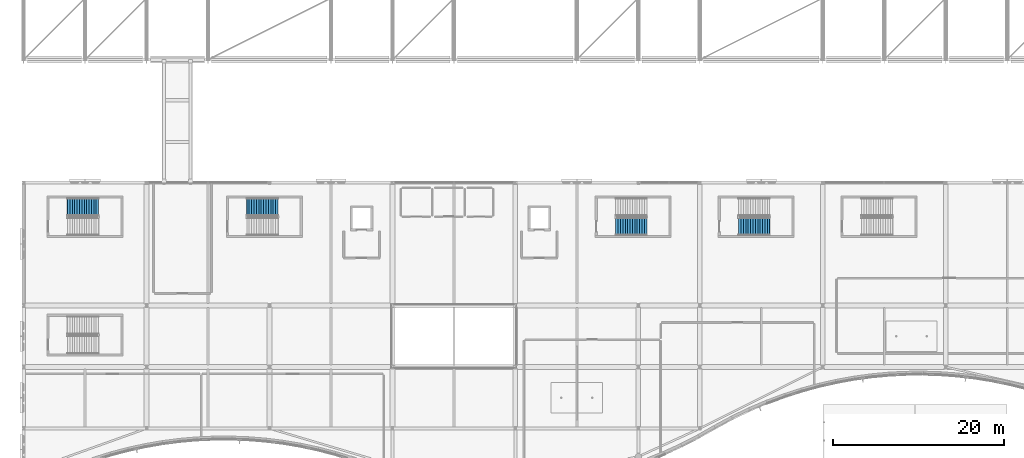
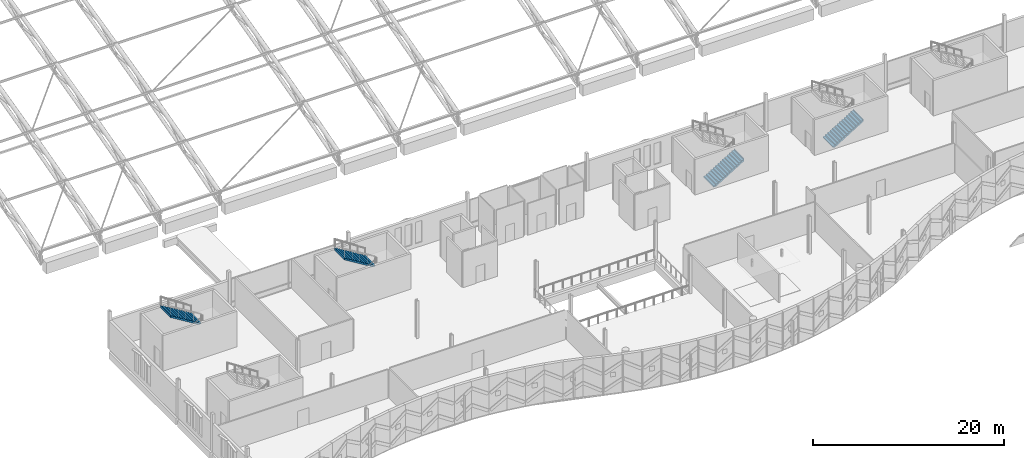
# One storey, part 164 of 193: 4 stair flights, 4 elements without a shape of their own.
"""IFC4 building model written with IfcOpenShell, lengths in metres."""

from ifc_helpers import new_model, si_unit, direction, frame, origin, place, context, subcontext, project, spatial, triangles, material, type_object, element, aggregate, save


model = new_model("IFC4")

# Units and contexts
model_context = context("Model", 3, precision=1e-05, world=origin(), true_north=direction((0.0, 1.0)))
body_context = subcontext(model_context, "Body", "Model", "MODEL_VIEW")
ifc_project = project(units=[si_unit("LENGTHUNIT", "METRE"), si_unit("AREAUNIT", "SQUARE_METRE"), si_unit("VOLUMEUNIT", "CUBIC_METRE"), si_unit("PLANEANGLEUNIT", "RADIAN"), si_unit("MASSUNIT", "GRAM", prefix="KILO")], contexts=[model_context])

# Site, building, storey
site_placement = place(None, origin())
site = spatial("IfcSite", under=ifc_project, at=site_placement, CompositionType="ELEMENT")
building_placement = place(site_placement, origin())
building = spatial("IfcBuilding", under=site, at=building_placement, Name="Cendralis Lancet Convention Centre", CompositionType="ELEMENT")
storey_placement = place(building_placement, frame((0.0, 0.0, 10.199951171875)))
storey = spatial("IfcBuildingStorey", under=building, at=storey_placement, Name="L02", CompositionType="ELEMENT", Elevation=10.199951171875)

# Stair, stair flight
ifc_material = material(Name="Concrete G35 (C35/45)", Category="concrete")
stair_type = type_object("IfcStairType", Name="ARC-ST-CORE", PredefinedType="HALF_TURN_STAIR", material=ifc_material)
stair_1_placement = place(storey_placement, origin())
stair_1 = element("IfcStair", 1, at=stair_1_placement, inside=storey, type_object=stair_type, Name="L02 Protected Exit Stair ST-11", PredefinedType="HALF_TURN_STAIR")
stair_flight_type = type_object("IfcStairFlightType", Name="ARC-SF-CORE", PredefinedType="STRAIGHT", material=ifc_material)
stair_flight_1_placement = place(storey_placement, frame((29.7900390625, 33.1298828125, 2.400146484375), z_axis=(0.0, 0.0, 1.0), x_axis=(-1.0, 0.0, 0.0)))
stair_flight_1 = element("IfcStairFlight", 2, at=stair_flight_1_placement, type_object=stair_flight_type, Name="ST-11 flight 2", NumberOfRisers=14, NumberOfTreads=13, PredefinedType="STRAIGHT", RiserHeight=0.171428571, TreadLength=0.28, context=body_context, shape_type="Tessellation", body=[
    triangles([(0.0, 0.0, 0.085714), (0.0, 1.050049, 0.0), (0.0, -1.050049, 0.0), (0.0, -1.050049, 0.171429), (0.0, 1.050049, 0.171429), (0.14, 0.0, 0.171429), (0.28, -1.050049, 0.171429), (0.28, 1.050049, 0.171429), (0.14, 0.0, 0.0), (0.28, -1.050049, 0.0), (0.28, 1.050049, 0.0), (0.28, 0.0, 0.257143), (0.28, -1.050049, 0.342857), (0.28, 1.050049, 0.342857), (0.283543, 0.0, 0.342857), (0.287085, -1.050049, 0.342857), (0.287085, 1.050049, 0.342857), (0.283543, 0.0, 0.0), (0.287085, -1.050049, 0.0), (0.287085, 1.050049, 0.0), (0.423543, 0.0, 0.342857), (0.56, -1.050049, 0.342857), (0.56, 1.050049, 0.342857), (0.423543, 0.0, 0.083545), (0.56, -1.050049, 0.167091), (0.56, 1.050049, 0.167091), (0.56, 0.0, 0.428572), (0.56, -1.050049, 0.514286), (0.56, 1.050049, 0.514286), (0.7, 0.0, 0.514286), (0.84, -1.050049, 0.514286), (0.84, 1.050049, 0.514286), (0.7, 0.0, 0.252806), (0.84, -1.050049, 0.33852), (0.84, 1.050049, 0.33852), (0.84, 0.0, 0.6), (0.84, -1.050049, 0.685714), (0.84, 1.050049, 0.685714), (0.98, 0.0, 0.685714), (1.12, -1.050049, 0.685714), (1.12, 1.050049, 0.685714), (0.98, 0.0, 0.424234), (1.12, -1.050049, 0.509948), (1.12, 1.050049, 0.509948), (1.12, 0.0, 0.771429), (1.12, -1.050049, 0.857143), (1.12, 1.050049, 0.857143), (1.26, 0.0, 0.857143), (1.4, -1.050049, 0.857143), (1.4, 1.050049, 0.857143), (1.26, 0.0, 0.595662), (1.4, -1.050049, 0.681377), (1.4, 1.050049, 0.681377), (1.4, 0.0, 0.942857), (1.4, -1.050049, 1.028571), (1.4, 1.050049, 1.028571), (1.54, 0.0, 1.028571), (1.68, -1.050049, 1.028571), (1.68, 1.050049, 1.028571), (1.54, 0.0, 0.767091), (1.68, -1.050049, 0.852805), (1.68, 1.050049, 0.852805), (1.68, 0.0, 1.114286), (1.68, -1.050049, 1.2), (1.68, 1.050049, 1.2), (1.82, 0.0, 1.2), (1.96, -1.050049, 1.2), (1.96, 1.050049, 1.2), (1.82, 0.0, 0.938519), (1.96, -1.050049, 1.024234), (1.96, 1.050049, 1.024234), (1.96, 0.0, 1.285715), (1.96, -1.050049, 1.371429), (1.96, 1.050049, 1.371429), (2.1, 0.0, 1.371429), (2.24, -1.050049, 1.371429), (2.24, 1.050049, 1.371429), (2.1, 0.0, 1.109948), (2.24, -1.050049, 1.195662), (2.24, 1.050049, 1.195662), (2.24, 0.0, 1.457143), (2.24, -1.050049, 1.542857), (2.24, 1.050049, 1.542857), (2.38, 0.0, 1.542857), (2.52, -1.050049, 1.542857), (2.52, 1.050049, 1.542857), (2.38, 0.0, 1.281376), (2.52, -1.050049, 1.367091), (2.52, 1.050049, 1.367091), (2.52, 0.0, 1.628572), (2.52, -1.050049, 1.714286), (2.52, 1.050049, 1.714286), (2.66, 0.0, 1.714286), (2.8, -1.050049, 1.714286), (2.8, 1.050049, 1.714286), (2.66, 0.0, 1.452806), (2.8, -1.050049, 1.53852), (2.8, 1.050049, 1.53852), (2.8, 0.0, 1.8), (2.8, -1.050049, 1.885714), (2.8, 1.050049, 1.885714), (2.94, 0.0, 1.885714), (3.08, -1.050049, 1.885714), (3.08, 1.050049, 1.885714), (2.94, 0.0, 1.624234), (3.08, -1.050049, 1.709948), (3.08, 1.050049, 1.709948), (3.08, 0.0, 1.971429), (3.08, -1.050049, 2.057143), (3.08, 1.050049, 2.057143), (3.22, 0.0, 2.057143), (3.36, -1.050049, 2.057143), (3.36, 1.050049, 2.057143), (3.22, 0.0, 1.795663), (3.36, -1.050049, 1.881377), (3.36, 1.050049, 1.881377), (3.36, 0.0, 2.142857), (3.36, -1.050049, 2.228571), (3.36, 1.050049, 2.228571), (3.5, 0.0, 2.228571), (3.64, -1.050049, 2.228571), (3.64, 1.050049, 2.228571), (3.5, 0.0, 1.967091), (3.64, -1.050049, 2.052805), (3.64, 1.050049, 2.052805), (3.64, 0.0, 2.314285), (3.64, -1.050049, 2.4), (3.64, 1.050049, 2.4), (3.66, 0.0, 2.4), (3.68, -1.050049, 2.4), (3.68, 1.050049, 2.4), (3.66, 0.0, 2.052805), (3.68, -1.050049, 2.052805), (3.68, 1.050049, 2.052805), (3.68, 0.0, 2.226403)], [[2, 3, 1], [3, 4, 1], [4, 5, 1], [5, 2, 1], [4, 7, 6], [7, 8, 6], [8, 5, 6], [5, 4, 6], [10, 3, 9], [3, 2, 9], [2, 11, 9], [11, 10, 9], [3, 10, 7], [3, 7, 4], [2, 8, 11], [2, 5, 8], [8, 7, 12], [7, 13, 12], [13, 14, 12], [14, 8, 12], [13, 16, 15], [16, 17, 15], [17, 14, 15], [14, 13, 15], [19, 10, 18], [10, 11, 18], [11, 20, 18], [20, 19, 18], [10, 19, 16], [10, 16, 7], [7, 16, 13], [11, 17, 20], [11, 8, 17], [8, 14, 17], [16, 22, 21], [22, 23, 21], [23, 17, 21], [17, 16, 21], [25, 19, 24], [19, 20, 24], [20, 26, 24], [26, 25, 24], [19, 25, 22], [19, 22, 16], [20, 23, 26], [20, 17, 23], [23, 22, 27], [22, 28, 27], [28, 29, 27], [29, 23, 27], [28, 31, 30], [31, 32, 30], [32, 29, 30], [29, 28, 30], [34, 25, 33], [25, 26, 33], [26, 35, 33], [35, 34, 33], [25, 34, 31], [25, 31, 22], [22, 31, 28], [26, 32, 35], [26, 23, 32], [23, 29, 32], [32, 31, 36], [31, 37, 36], [37, 38, 36], [38, 32, 36], [37, 40, 39], [40, 41, 39], [41, 38, 39], [38, 37, 39], [43, 34, 42], [34, 35, 42], [35, 44, 42], [44, 43, 42], [34, 43, 40], [34, 40, 31], [31, 40, 37], [35, 41, 44], [35, 32, 41], [32, 38, 41], [41, 40, 45], [40, 46, 45], [46, 47, 45], [47, 41, 45], [46, 49, 48], [49, 50, 48], [50, 47, 48], [47, 46, 48], [52, 43, 51], [43, 44, 51], [44, 53, 51], [53, 52, 51], [43, 52, 49], [43, 49, 40], [40, 49, 46], [44, 50, 53], [44, 41, 50], [41, 47, 50], [50, 49, 54], [49, 55, 54], [55, 56, 54], [56, 50, 54], [55, 58, 57], [58, 59, 57], [59, 56, 57], [56, 55, 57], [61, 52, 60], [52, 53, 60], [53, 62, 60], [62, 61, 60], [52, 61, 58], [52, 58, 49], [49, 58, 55], [53, 59, 62], [53, 50, 59], [50, 56, 59], [59, 58, 63], [58, 64, 63], [64, 65, 63], [65, 59, 63], [64, 67, 66], [67, 68, 66], [68, 65, 66], [65, 64, 66], [70, 61, 69], [61, 62, 69], [62, 71, 69], [71, 70, 69], [61, 70, 67], [61, 67, 58], [58, 67, 64], [62, 68, 71], [62, 59, 68], [59, 65, 68], [68, 67, 72], [67, 73, 72], [73, 74, 72], [74, 68, 72], [73, 76, 75], [76, 77, 75], [77, 74, 75], [74, 73, 75], [79, 70, 78], [70, 71, 78], [71, 80, 78], [80, 79, 78], [70, 79, 76], [70, 76, 67], [67, 76, 73], [71, 77, 80], [71, 68, 77], [68, 74, 77], [77, 76, 81], [76, 82, 81], [82, 83, 81], [83, 77, 81], [82, 85, 84], [85, 86, 84], [86, 83, 84], [83, 82, 84], [88, 79, 87], [79, 80, 87], [80, 89, 87], [89, 88, 87], [79, 88, 85], [79, 85, 76], [76, 85, 82], [80, 86, 89], [80, 77, 86], [77, 83, 86], [86, 85, 90], [85, 91, 90], [91, 92, 90], [92, 86, 90], [91, 94, 93], [94, 95, 93], [95, 92, 93], [92, 91, 93], [97, 88, 96], [88, 89, 96], [89, 98, 96], [98, 97, 96], [88, 97, 94], [88, 94, 85], [85, 94, 91], [89, 95, 98], [89, 86, 95], [86, 92, 95], [95, 94, 99], [94, 100, 99], [100, 101, 99], [101, 95, 99], [100, 103, 102], [103, 104, 102], [104, 101, 102], [101, 100, 102], [106, 97, 105], [97, 98, 105], [98, 107, 105], [107, 106, 105], [97, 106, 103], [97, 103, 94], [94, 103, 100], [98, 104, 107], [98, 95, 104], [95, 101, 104], [104, 103, 108], [103, 109, 108], [109, 110, 108], [110, 104, 108], [109, 112, 111], [112, 113, 111], [113, 110, 111], [110, 109, 111], [115, 106, 114], [106, 107, 114], [107, 116, 114], [116, 115, 114], [106, 115, 112], [106, 112, 103], [103, 112, 109], [107, 113, 116], [107, 104, 113], [104, 110, 113], [113, 112, 117], [112, 118, 117], [118, 119, 117], [119, 113, 117], [118, 121, 120], [121, 122, 120], [122, 119, 120], [119, 118, 120], [124, 115, 123], [115, 116, 123], [116, 125, 123], [125, 124, 123], [115, 124, 121], [115, 121, 112], [112, 121, 118], [116, 122, 125], [116, 113, 122], [113, 119, 122], [122, 121, 126], [121, 127, 126], [127, 128, 126], [128, 122, 126], [127, 130, 129], [130, 131, 129], [131, 128, 129], [128, 127, 129], [133, 124, 132], [124, 125, 132], [125, 134, 132], [134, 133, 132], [124, 133, 130], [124, 130, 121], [121, 130, 127], [125, 131, 134], [125, 122, 131], [122, 128, 131], [133, 134, 135], [134, 131, 135], [131, 130, 135], [130, 133, 135]], closed=True),
])
aggregate(stair_1, [stair_flight_1])

stair_2_placement = place(storey_placement, origin())
stair_2 = element("IfcStair", 3, at=stair_2_placement, inside=storey, type_object=stair_type, Name="L02 Protected Exit Stair ST-12", PredefinedType="HALF_TURN_STAIR")
stair_flight_2_placement = place(storey_placement, frame((69.35009765625, 30.85009765625, 0.0), z_axis=(0.0, 0.0, 1.0), x_axis=(1.0, 0.0, 0.0)))
stair_flight_2 = element("IfcStairFlight", 4, at=stair_flight_2_placement, type_object=stair_flight_type, Name="ST-12 flight 1", NumberOfRisers=14, NumberOfTreads=13, PredefinedType="STRAIGHT", RiserHeight=0.171428571, TreadLength=0.28, context=body_context, shape_type="Tessellation", body=[
    triangles([(0.0, 0.0, 0.085714), (0.0, 1.050049, 0.0), (0.0, -1.050049, 0.0), (0.0, -1.050049, 0.171429), (0.0, 1.050049, 0.171429), (0.14, 0.0, 0.171429), (0.28, -1.050049, 0.171429), (0.28, 1.050049, 0.171429), (0.14, 0.0, 0.0), (0.28, -1.050049, 0.0), (0.28, 1.050049, 0.0), (0.28, 0.0, 0.257143), (0.28, -1.050049, 0.342857), (0.28, 1.050049, 0.342857), (0.283543, 0.0, 0.342857), (0.287085, -1.050049, 0.342857), (0.287085, 1.050049, 0.342857), (0.283543, 0.0, 0.0), (0.287085, -1.050049, 0.0), (0.287085, 1.050049, 0.0), (0.423543, 0.0, 0.342857), (0.56, -1.050049, 0.342857), (0.56, 1.050049, 0.342857), (0.423543, 0.0, 0.083545), (0.56, -1.050049, 0.167091), (0.56, 1.050049, 0.167091), (0.56, 0.0, 0.428572), (0.56, -1.050049, 0.514286), (0.56, 1.050049, 0.514286), (0.7, 0.0, 0.514286), (0.84, -1.050049, 0.514286), (0.84, 1.050049, 0.514286), (0.7, 0.0, 0.252806), (0.84, -1.050049, 0.33852), (0.84, 1.050049, 0.33852), (0.84, 0.0, 0.6), (0.84, -1.050049, 0.685714), (0.84, 1.050049, 0.685714), (0.98, 0.0, 0.685714), (1.12, -1.050049, 0.685714), (1.12, 1.050049, 0.685714), (0.98, 0.0, 0.424234), (1.12, -1.050049, 0.509948), (1.12, 1.050049, 0.509948), (1.12, 0.0, 0.771429), (1.12, -1.050049, 0.857143), (1.12, 1.050049, 0.857143), (1.26, 0.0, 0.857143), (1.4, -1.050049, 0.857143), (1.4, 1.050049, 0.857143), (1.26, 0.0, 0.595662), (1.4, -1.050049, 0.681377), (1.4, 1.050049, 0.681377), (1.4, 0.0, 0.942857), (1.4, -1.050049, 1.028571), (1.4, 1.050049, 1.028571), (1.54, 0.0, 1.028571), (1.68, -1.050049, 1.028571), (1.68, 1.050049, 1.028571), (1.54, 0.0, 0.767091), (1.68, -1.050049, 0.852805), (1.68, 1.050049, 0.852805), (1.68, 0.0, 1.114286), (1.68, -1.050049, 1.2), (1.68, 1.050049, 1.2), (1.82, 0.0, 1.2), (1.96, -1.050049, 1.2), (1.96, 1.050049, 1.2), (1.82, 0.0, 0.938519), (1.96, -1.050049, 1.024234), (1.96, 1.050049, 1.024234), (1.96, 0.0, 1.285715), (1.96, -1.050049, 1.371429), (1.96, 1.050049, 1.371429), (2.1, 0.0, 1.371429), (2.24, -1.050049, 1.371429), (2.24, 1.050049, 1.371429), (2.1, 0.0, 1.109948), (2.24, -1.050049, 1.195662), (2.24, 1.050049, 1.195662), (2.24, 0.0, 1.457143), (2.24, -1.050049, 1.542857), (2.24, 1.050049, 1.542857), (2.38, 0.0, 1.542857), (2.52, -1.050049, 1.542857), (2.52, 1.050049, 1.542857), (2.38, 0.0, 1.281376), (2.52, -1.050049, 1.367091), (2.52, 1.050049, 1.367091), (2.52, 0.0, 1.628572), (2.52, -1.050049, 1.714286), (2.52, 1.050049, 1.714286), (2.66, 0.0, 1.714286), (2.8, -1.050049, 1.714286), (2.8, 1.050049, 1.714286), (2.66, 0.0, 1.452806), (2.8, -1.050049, 1.53852), (2.8, 1.050049, 1.53852), (2.8, 0.0, 1.8), (2.8, -1.050049, 1.885714), (2.8, 1.050049, 1.885714), (2.94, 0.0, 1.885714), (3.08, -1.050049, 1.885714), (3.08, 1.050049, 1.885714), (2.94, 0.0, 1.624234), (3.08, -1.050049, 1.709948), (3.08, 1.050049, 1.709948), (3.08, 0.0, 1.971429), (3.08, -1.050049, 2.057143), (3.08, 1.050049, 2.057143), (3.22, 0.0, 2.057143), (3.36, -1.050049, 2.057143), (3.36, 1.050049, 2.057143), (3.22, 0.0, 1.795663), (3.36, -1.050049, 1.881377), (3.36, 1.050049, 1.881377), (3.36, 0.0, 2.142857), (3.36, -1.050049, 2.228571), (3.36, 1.050049, 2.228571), (3.5, 0.0, 2.228571), (3.64, -1.050049, 2.228571), (3.64, 1.050049, 2.228571), (3.5, 0.0, 1.967091), (3.64, -1.050049, 2.052805), (3.64, 1.050049, 2.052805), (3.64, 0.0, 2.314285), (3.64, -1.050049, 2.4), (3.64, 1.050049, 2.4), (3.66, 0.0, 2.4), (3.68, -1.050049, 2.4), (3.68, 1.050049, 2.4), (3.66, 0.0, 2.052805), (3.68, -1.050049, 2.052805), (3.68, 1.050049, 2.052805), (3.68, 0.0, 2.226403)], [[2, 3, 1], [3, 4, 1], [4, 5, 1], [5, 2, 1], [4, 7, 6], [7, 8, 6], [8, 5, 6], [5, 4, 6], [10, 3, 9], [3, 2, 9], [2, 11, 9], [11, 10, 9], [3, 10, 7], [3, 7, 4], [2, 8, 11], [2, 5, 8], [8, 7, 12], [7, 13, 12], [13, 14, 12], [14, 8, 12], [13, 16, 15], [16, 17, 15], [17, 14, 15], [14, 13, 15], [19, 10, 18], [10, 11, 18], [11, 20, 18], [20, 19, 18], [10, 19, 16], [10, 16, 7], [7, 16, 13], [11, 17, 20], [11, 8, 17], [8, 14, 17], [16, 22, 21], [22, 23, 21], [23, 17, 21], [17, 16, 21], [25, 19, 24], [19, 20, 24], [20, 26, 24], [26, 25, 24], [19, 25, 22], [19, 22, 16], [20, 23, 26], [20, 17, 23], [23, 22, 27], [22, 28, 27], [28, 29, 27], [29, 23, 27], [28, 31, 30], [31, 32, 30], [32, 29, 30], [29, 28, 30], [34, 25, 33], [25, 26, 33], [26, 35, 33], [35, 34, 33], [25, 34, 31], [25, 31, 22], [22, 31, 28], [26, 32, 35], [26, 23, 32], [23, 29, 32], [32, 31, 36], [31, 37, 36], [37, 38, 36], [38, 32, 36], [37, 40, 39], [40, 41, 39], [41, 38, 39], [38, 37, 39], [43, 34, 42], [34, 35, 42], [35, 44, 42], [44, 43, 42], [34, 43, 40], [34, 40, 31], [31, 40, 37], [35, 41, 44], [35, 32, 41], [32, 38, 41], [41, 40, 45], [40, 46, 45], [46, 47, 45], [47, 41, 45], [46, 49, 48], [49, 50, 48], [50, 47, 48], [47, 46, 48], [52, 43, 51], [43, 44, 51], [44, 53, 51], [53, 52, 51], [43, 52, 49], [43, 49, 40], [40, 49, 46], [44, 50, 53], [44, 41, 50], [41, 47, 50], [50, 49, 54], [49, 55, 54], [55, 56, 54], [56, 50, 54], [55, 58, 57], [58, 59, 57], [59, 56, 57], [56, 55, 57], [61, 52, 60], [52, 53, 60], [53, 62, 60], [62, 61, 60], [52, 61, 58], [52, 58, 49], [49, 58, 55], [53, 59, 62], [53, 50, 59], [50, 56, 59], [59, 58, 63], [58, 64, 63], [64, 65, 63], [65, 59, 63], [64, 67, 66], [67, 68, 66], [68, 65, 66], [65, 64, 66], [70, 61, 69], [61, 62, 69], [62, 71, 69], [71, 70, 69], [61, 70, 67], [61, 67, 58], [58, 67, 64], [62, 68, 71], [62, 59, 68], [59, 65, 68], [68, 67, 72], [67, 73, 72], [73, 74, 72], [74, 68, 72], [73, 76, 75], [76, 77, 75], [77, 74, 75], [74, 73, 75], [79, 70, 78], [70, 71, 78], [71, 80, 78], [80, 79, 78], [70, 79, 76], [70, 76, 67], [67, 76, 73], [71, 77, 80], [71, 68, 77], [68, 74, 77], [77, 76, 81], [76, 82, 81], [82, 83, 81], [83, 77, 81], [82, 85, 84], [85, 86, 84], [86, 83, 84], [83, 82, 84], [88, 79, 87], [79, 80, 87], [80, 89, 87], [89, 88, 87], [79, 88, 85], [79, 85, 76], [76, 85, 82], [80, 86, 89], [80, 77, 86], [77, 83, 86], [86, 85, 90], [85, 91, 90], [91, 92, 90], [92, 86, 90], [91, 94, 93], [94, 95, 93], [95, 92, 93], [92, 91, 93], [97, 88, 96], [88, 89, 96], [89, 98, 96], [98, 97, 96], [88, 97, 94], [88, 94, 85], [85, 94, 91], [89, 95, 98], [89, 86, 95], [86, 92, 95], [95, 94, 99], [94, 100, 99], [100, 101, 99], [101, 95, 99], [100, 103, 102], [103, 104, 102], [104, 101, 102], [101, 100, 102], [106, 97, 105], [97, 98, 105], [98, 107, 105], [107, 106, 105], [97, 106, 103], [97, 103, 94], [94, 103, 100], [98, 104, 107], [98, 95, 104], [95, 101, 104], [104, 103, 108], [103, 109, 108], [109, 110, 108], [110, 104, 108], [109, 112, 111], [112, 113, 111], [113, 110, 111], [110, 109, 111], [115, 106, 114], [106, 107, 114], [107, 116, 114], [116, 115, 114], [106, 115, 112], [106, 112, 103], [103, 112, 109], [107, 113, 116], [107, 104, 113], [104, 110, 113], [113, 112, 117], [112, 118, 117], [118, 119, 117], [119, 113, 117], [118, 121, 120], [121, 122, 120], [122, 119, 120], [119, 118, 120], [124, 115, 123], [115, 116, 123], [116, 125, 123], [125, 124, 123], [115, 124, 121], [115, 121, 112], [112, 121, 118], [116, 122, 125], [116, 113, 122], [113, 119, 122], [122, 121, 126], [121, 127, 126], [127, 128, 126], [128, 122, 126], [127, 130, 129], [130, 131, 129], [131, 128, 129], [128, 127, 129], [133, 124, 132], [124, 125, 132], [125, 134, 132], [134, 133, 132], [124, 133, 130], [124, 130, 121], [121, 130, 127], [125, 131, 134], [125, 122, 131], [122, 128, 131], [133, 134, 135], [134, 131, 135], [131, 130, 135], [130, 133, 135]], closed=True),
])
aggregate(stair_2, [stair_flight_2])

stair_3_placement = place(storey_placement, origin())
stair_3 = element("IfcStair", 5, at=stair_3_placement, inside=storey, type_object=stair_type, Name="L02 Protected Exit Stair ST-20", PredefinedType="HALF_TURN_STAIR")
stair_flight_3_placement = place(storey_placement, frame((8.7900390625, 33.1298828125, 2.400146484375), z_axis=(0.0, 0.0, 1.0), x_axis=(-1.0, 0.0, 0.0)))
stair_flight_3 = element("IfcStairFlight", 6, at=stair_flight_3_placement, type_object=stair_flight_type, Name="ST-20 flight 2", NumberOfRisers=14, NumberOfTreads=13, PredefinedType="STRAIGHT", RiserHeight=0.171428571, TreadLength=0.28, context=body_context, shape_type="Tessellation", body=[
    triangles([(0.0, 0.0, 0.085714), (0.0, 1.050049, 0.0), (0.0, -1.050049, 0.0), (0.0, -1.050049, 0.171429), (0.0, 1.050049, 0.171429), (0.14, 0.0, 0.171429), (0.28, -1.050049, 0.171429), (0.28, 1.050049, 0.171429), (0.14, 0.0, 0.0), (0.28, -1.050049, 0.0), (0.28, 1.050049, 0.0), (0.28, 0.0, 0.257143), (0.28, -1.050049, 0.342857), (0.28, 1.050049, 0.342857), (0.283543, 0.0, 0.342857), (0.287085, -1.050049, 0.342857), (0.287085, 1.050049, 0.342857), (0.283543, 0.0, 0.0), (0.287085, -1.050049, 0.0), (0.287085, 1.050049, 0.0), (0.423543, 0.0, 0.342857), (0.56, -1.050049, 0.342857), (0.56, 1.050049, 0.342857), (0.423543, 0.0, 0.083545), (0.56, -1.050049, 0.167091), (0.56, 1.050049, 0.167091), (0.56, 0.0, 0.428572), (0.56, -1.050049, 0.514286), (0.56, 1.050049, 0.514286), (0.7, 0.0, 0.514286), (0.84, -1.050049, 0.514286), (0.84, 1.050049, 0.514286), (0.7, 0.0, 0.252806), (0.84, -1.050049, 0.33852), (0.84, 1.050049, 0.33852), (0.84, 0.0, 0.6), (0.84, -1.050049, 0.685714), (0.84, 1.050049, 0.685714), (0.98, 0.0, 0.685714), (1.12, -1.050049, 0.685714), (1.12, 1.050049, 0.685714), (0.98, 0.0, 0.424234), (1.12, -1.050049, 0.509948), (1.12, 1.050049, 0.509948), (1.12, 0.0, 0.771429), (1.12, -1.050049, 0.857143), (1.12, 1.050049, 0.857143), (1.26, 0.0, 0.857143), (1.4, -1.050049, 0.857143), (1.4, 1.050049, 0.857143), (1.26, 0.0, 0.595662), (1.4, -1.050049, 0.681377), (1.4, 1.050049, 0.681377), (1.4, 0.0, 0.942857), (1.4, -1.050049, 1.028571), (1.4, 1.050049, 1.028571), (1.54, 0.0, 1.028571), (1.68, -1.050049, 1.028571), (1.68, 1.050049, 1.028571), (1.54, 0.0, 0.767091), (1.68, -1.050049, 0.852805), (1.68, 1.050049, 0.852805), (1.68, 0.0, 1.114286), (1.68, -1.050049, 1.2), (1.68, 1.050049, 1.2), (1.82, 0.0, 1.2), (1.96, -1.050049, 1.2), (1.96, 1.050049, 1.2), (1.82, 0.0, 0.938519), (1.96, -1.050049, 1.024234), (1.96, 1.050049, 1.024234), (1.96, 0.0, 1.285715), (1.96, -1.050049, 1.371429), (1.96, 1.050049, 1.371429), (2.1, 0.0, 1.371429), (2.24, -1.050049, 1.371429), (2.24, 1.050049, 1.371429), (2.1, 0.0, 1.109948), (2.24, -1.050049, 1.195662), (2.24, 1.050049, 1.195662), (2.24, 0.0, 1.457143), (2.24, -1.050049, 1.542857), (2.24, 1.050049, 1.542857), (2.38, 0.0, 1.542857), (2.52, -1.050049, 1.542857), (2.52, 1.050049, 1.542857), (2.38, 0.0, 1.281376), (2.52, -1.050049, 1.367091), (2.52, 1.050049, 1.367091), (2.52, 0.0, 1.628572), (2.52, -1.050049, 1.714286), (2.52, 1.050049, 1.714286), (2.66, 0.0, 1.714286), (2.8, -1.050049, 1.714286), (2.8, 1.050049, 1.714286), (2.66, 0.0, 1.452806), (2.8, -1.050049, 1.53852), (2.8, 1.050049, 1.53852), (2.8, 0.0, 1.8), (2.8, -1.050049, 1.885714), (2.8, 1.050049, 1.885714), (2.94, 0.0, 1.885714), (3.08, -1.050049, 1.885714), (3.08, 1.050049, 1.885714), (2.94, 0.0, 1.624234), (3.08, -1.050049, 1.709948), (3.08, 1.050049, 1.709948), (3.08, 0.0, 1.971429), (3.08, -1.050049, 2.057143), (3.08, 1.050049, 2.057143), (3.22, 0.0, 2.057143), (3.36, -1.050049, 2.057143), (3.36, 1.050049, 2.057143), (3.22, 0.0, 1.795663), (3.36, -1.050049, 1.881377), (3.36, 1.050049, 1.881377), (3.36, 0.0, 2.142857), (3.36, -1.050049, 2.228571), (3.36, 1.050049, 2.228571), (3.5, 0.0, 2.228571), (3.64, -1.050049, 2.228571), (3.64, 1.050049, 2.228571), (3.5, 0.0, 1.967091), (3.64, -1.050049, 2.052805), (3.64, 1.050049, 2.052805), (3.64, 0.0, 2.314285), (3.64, -1.050049, 2.4), (3.64, 1.050049, 2.4), (3.66, 0.0, 2.4), (3.68, -1.050049, 2.4), (3.68, 1.050049, 2.4), (3.66, 0.0, 2.052805), (3.68, -1.050049, 2.052805), (3.68, 1.050049, 2.052805), (3.68, 0.0, 2.226403)], [[2, 3, 1], [3, 4, 1], [4, 5, 1], [5, 2, 1], [4, 7, 6], [7, 8, 6], [8, 5, 6], [5, 4, 6], [10, 3, 9], [3, 2, 9], [2, 11, 9], [11, 10, 9], [3, 10, 7], [3, 7, 4], [2, 8, 11], [2, 5, 8], [8, 7, 12], [7, 13, 12], [13, 14, 12], [14, 8, 12], [13, 16, 15], [16, 17, 15], [17, 14, 15], [14, 13, 15], [19, 10, 18], [10, 11, 18], [11, 20, 18], [20, 19, 18], [10, 19, 16], [10, 16, 7], [7, 16, 13], [11, 17, 20], [11, 8, 17], [8, 14, 17], [16, 22, 21], [22, 23, 21], [23, 17, 21], [17, 16, 21], [25, 19, 24], [19, 20, 24], [20, 26, 24], [26, 25, 24], [19, 25, 22], [19, 22, 16], [20, 23, 26], [20, 17, 23], [23, 22, 27], [22, 28, 27], [28, 29, 27], [29, 23, 27], [28, 31, 30], [31, 32, 30], [32, 29, 30], [29, 28, 30], [34, 25, 33], [25, 26, 33], [26, 35, 33], [35, 34, 33], [25, 34, 31], [25, 31, 22], [22, 31, 28], [26, 32, 35], [26, 23, 32], [23, 29, 32], [32, 31, 36], [31, 37, 36], [37, 38, 36], [38, 32, 36], [37, 40, 39], [40, 41, 39], [41, 38, 39], [38, 37, 39], [43, 34, 42], [34, 35, 42], [35, 44, 42], [44, 43, 42], [34, 43, 40], [34, 40, 31], [31, 40, 37], [35, 41, 44], [35, 32, 41], [32, 38, 41], [41, 40, 45], [40, 46, 45], [46, 47, 45], [47, 41, 45], [46, 49, 48], [49, 50, 48], [50, 47, 48], [47, 46, 48], [52, 43, 51], [43, 44, 51], [44, 53, 51], [53, 52, 51], [43, 52, 49], [43, 49, 40], [40, 49, 46], [44, 50, 53], [44, 41, 50], [41, 47, 50], [50, 49, 54], [49, 55, 54], [55, 56, 54], [56, 50, 54], [55, 58, 57], [58, 59, 57], [59, 56, 57], [56, 55, 57], [61, 52, 60], [52, 53, 60], [53, 62, 60], [62, 61, 60], [52, 61, 58], [52, 58, 49], [49, 58, 55], [53, 59, 62], [53, 50, 59], [50, 56, 59], [59, 58, 63], [58, 64, 63], [64, 65, 63], [65, 59, 63], [64, 67, 66], [67, 68, 66], [68, 65, 66], [65, 64, 66], [70, 61, 69], [61, 62, 69], [62, 71, 69], [71, 70, 69], [61, 70, 67], [61, 67, 58], [58, 67, 64], [62, 68, 71], [62, 59, 68], [59, 65, 68], [68, 67, 72], [67, 73, 72], [73, 74, 72], [74, 68, 72], [73, 76, 75], [76, 77, 75], [77, 74, 75], [74, 73, 75], [79, 70, 78], [70, 71, 78], [71, 80, 78], [80, 79, 78], [70, 79, 76], [70, 76, 67], [67, 76, 73], [71, 77, 80], [71, 68, 77], [68, 74, 77], [77, 76, 81], [76, 82, 81], [82, 83, 81], [83, 77, 81], [82, 85, 84], [85, 86, 84], [86, 83, 84], [83, 82, 84], [88, 79, 87], [79, 80, 87], [80, 89, 87], [89, 88, 87], [79, 88, 85], [79, 85, 76], [76, 85, 82], [80, 86, 89], [80, 77, 86], [77, 83, 86], [86, 85, 90], [85, 91, 90], [91, 92, 90], [92, 86, 90], [91, 94, 93], [94, 95, 93], [95, 92, 93], [92, 91, 93], [97, 88, 96], [88, 89, 96], [89, 98, 96], [98, 97, 96], [88, 97, 94], [88, 94, 85], [85, 94, 91], [89, 95, 98], [89, 86, 95], [86, 92, 95], [95, 94, 99], [94, 100, 99], [100, 101, 99], [101, 95, 99], [100, 103, 102], [103, 104, 102], [104, 101, 102], [101, 100, 102], [106, 97, 105], [97, 98, 105], [98, 107, 105], [107, 106, 105], [97, 106, 103], [97, 103, 94], [94, 103, 100], [98, 104, 107], [98, 95, 104], [95, 101, 104], [104, 103, 108], [103, 109, 108], [109, 110, 108], [110, 104, 108], [109, 112, 111], [112, 113, 111], [113, 110, 111], [110, 109, 111], [115, 106, 114], [106, 107, 114], [107, 116, 114], [116, 115, 114], [106, 115, 112], [106, 112, 103], [103, 112, 109], [107, 113, 116], [107, 104, 113], [104, 110, 113], [113, 112, 117], [112, 118, 117], [118, 119, 117], [119, 113, 117], [118, 121, 120], [121, 122, 120], [122, 119, 120], [119, 118, 120], [124, 115, 123], [115, 116, 123], [116, 125, 123], [125, 124, 123], [115, 124, 121], [115, 121, 112], [112, 121, 118], [116, 122, 125], [116, 113, 122], [113, 119, 122], [122, 121, 126], [121, 127, 126], [127, 128, 126], [128, 122, 126], [127, 130, 129], [130, 131, 129], [131, 128, 129], [128, 127, 129], [133, 124, 132], [124, 125, 132], [125, 134, 132], [134, 133, 132], [124, 133, 130], [124, 130, 121], [121, 130, 127], [125, 131, 134], [125, 122, 131], [122, 128, 131], [133, 134, 135], [134, 131, 135], [131, 130, 135], [130, 133, 135]], closed=True),
])
aggregate(stair_3, [stair_flight_3])

stair_4_placement = place(storey_placement, origin())
stair_4 = element("IfcStair", 7, at=stair_4_placement, inside=storey, type_object=stair_type, Name="L02 Protected Exit Stair ST-21", PredefinedType="HALF_TURN_STAIR")
stair_flight_4_placement = place(storey_placement, frame((83.75, 30.85009765625, 0.0), z_axis=(0.0, 0.0, 1.0), x_axis=(1.0, 0.0, 0.0)))
stair_flight_4 = element("IfcStairFlight", 8, at=stair_flight_4_placement, type_object=stair_flight_type, Name="ST-21 flight 1", NumberOfRisers=14, NumberOfTreads=13, PredefinedType="STRAIGHT", RiserHeight=0.171428571, TreadLength=0.28, context=body_context, shape_type="Tessellation", body=[
    triangles([(0.0, 0.0, 0.085714), (0.0, 1.050049, 0.0), (0.0, -1.050049, 0.0), (0.0, -1.050049, 0.171429), (0.0, 1.050049, 0.171429), (0.14, 0.0, 0.171429), (0.28, -1.050049, 0.171429), (0.28, 1.050049, 0.171429), (0.14, 0.0, 0.0), (0.28, -1.050049, 0.0), (0.28, 1.050049, 0.0), (0.28, 0.0, 0.257143), (0.28, -1.050049, 0.342857), (0.28, 1.050049, 0.342857), (0.283543, 0.0, 0.342857), (0.287085, -1.050049, 0.342857), (0.287085, 1.050049, 0.342857), (0.283543, 0.0, 0.0), (0.287085, -1.050049, 0.0), (0.287085, 1.050049, 0.0), (0.423543, 0.0, 0.342857), (0.56, -1.050049, 0.342857), (0.56, 1.050049, 0.342857), (0.423543, 0.0, 0.083545), (0.56, -1.050049, 0.167091), (0.56, 1.050049, 0.167091), (0.56, 0.0, 0.428572), (0.56, -1.050049, 0.514286), (0.56, 1.050049, 0.514286), (0.7, 0.0, 0.514286), (0.84, -1.050049, 0.514286), (0.84, 1.050049, 0.514286), (0.7, 0.0, 0.252806), (0.84, -1.050049, 0.33852), (0.84, 1.050049, 0.33852), (0.84, 0.0, 0.6), (0.84, -1.050049, 0.685714), (0.84, 1.050049, 0.685714), (0.98, 0.0, 0.685714), (1.12, -1.050049, 0.685714), (1.12, 1.050049, 0.685714), (0.98, 0.0, 0.424234), (1.12, -1.050049, 0.509948), (1.12, 1.050049, 0.509948), (1.12, 0.0, 0.771429), (1.12, -1.050049, 0.857143), (1.12, 1.050049, 0.857143), (1.26, 0.0, 0.857143), (1.4, -1.050049, 0.857143), (1.4, 1.050049, 0.857143), (1.26, 0.0, 0.595662), (1.4, -1.050049, 0.681377), (1.4, 1.050049, 0.681377), (1.4, 0.0, 0.942857), (1.4, -1.050049, 1.028571), (1.4, 1.050049, 1.028571), (1.54, 0.0, 1.028571), (1.68, -1.050049, 1.028571), (1.68, 1.050049, 1.028571), (1.54, 0.0, 0.767091), (1.68, -1.050049, 0.852805), (1.68, 1.050049, 0.852805), (1.68, 0.0, 1.114286), (1.68, -1.050049, 1.2), (1.68, 1.050049, 1.2), (1.82, 0.0, 1.2), (1.96, -1.050049, 1.2), (1.96, 1.050049, 1.2), (1.82, 0.0, 0.938519), (1.96, -1.050049, 1.024234), (1.96, 1.050049, 1.024234), (1.96, 0.0, 1.285715), (1.96, -1.050049, 1.371429), (1.96, 1.050049, 1.371429), (2.1, 0.0, 1.371429), (2.24, -1.050049, 1.371429), (2.24, 1.050049, 1.371429), (2.1, 0.0, 1.109948), (2.24, -1.050049, 1.195662), (2.24, 1.050049, 1.195662), (2.24, 0.0, 1.457143), (2.24, -1.050049, 1.542857), (2.24, 1.050049, 1.542857), (2.38, 0.0, 1.542857), (2.52, -1.050049, 1.542857), (2.52, 1.050049, 1.542857), (2.38, 0.0, 1.281376), (2.52, -1.050049, 1.367091), (2.52, 1.050049, 1.367091), (2.52, 0.0, 1.628572), (2.52, -1.050049, 1.714286), (2.52, 1.050049, 1.714286), (2.66, 0.0, 1.714286), (2.8, -1.050049, 1.714286), (2.8, 1.050049, 1.714286), (2.66, 0.0, 1.452806), (2.8, -1.050049, 1.53852), (2.8, 1.050049, 1.53852), (2.8, 0.0, 1.8), (2.8, -1.050049, 1.885714), (2.8, 1.050049, 1.885714), (2.94, 0.0, 1.885714), (3.08, -1.050049, 1.885714), (3.08, 1.050049, 1.885714), (2.94, 0.0, 1.624234), (3.08, -1.050049, 1.709948), (3.08, 1.050049, 1.709948), (3.08, 0.0, 1.971429), (3.08, -1.050049, 2.057143), (3.08, 1.050049, 2.057143), (3.22, 0.0, 2.057143), (3.36, -1.050049, 2.057143), (3.36, 1.050049, 2.057143), (3.22, 0.0, 1.795663), (3.36, -1.050049, 1.881377), (3.36, 1.050049, 1.881377), (3.36, 0.0, 2.142857), (3.36, -1.050049, 2.228571), (3.36, 1.050049, 2.228571), (3.5, 0.0, 2.228571), (3.64, -1.050049, 2.228571), (3.64, 1.050049, 2.228571), (3.5, 0.0, 1.967091), (3.64, -1.050049, 2.052805), (3.64, 1.050049, 2.052805), (3.64, 0.0, 2.314285), (3.64, -1.050049, 2.4), (3.64, 1.050049, 2.4), (3.66, 0.0, 2.4), (3.68, -1.050049, 2.4), (3.68, 1.050049, 2.4), (3.66, 0.0, 2.052805), (3.68, -1.050049, 2.052805), (3.68, 1.050049, 2.052805), (3.68, 0.0, 2.226403)], [[2, 3, 1], [3, 4, 1], [4, 5, 1], [5, 2, 1], [4, 7, 6], [7, 8, 6], [8, 5, 6], [5, 4, 6], [10, 3, 9], [3, 2, 9], [2, 11, 9], [11, 10, 9], [3, 10, 7], [3, 7, 4], [2, 8, 11], [2, 5, 8], [8, 7, 12], [7, 13, 12], [13, 14, 12], [14, 8, 12], [13, 16, 15], [16, 17, 15], [17, 14, 15], [14, 13, 15], [19, 10, 18], [10, 11, 18], [11, 20, 18], [20, 19, 18], [10, 19, 16], [10, 16, 7], [7, 16, 13], [11, 17, 20], [11, 8, 17], [8, 14, 17], [16, 22, 21], [22, 23, 21], [23, 17, 21], [17, 16, 21], [25, 19, 24], [19, 20, 24], [20, 26, 24], [26, 25, 24], [19, 25, 22], [19, 22, 16], [20, 23, 26], [20, 17, 23], [23, 22, 27], [22, 28, 27], [28, 29, 27], [29, 23, 27], [28, 31, 30], [31, 32, 30], [32, 29, 30], [29, 28, 30], [34, 25, 33], [25, 26, 33], [26, 35, 33], [35, 34, 33], [25, 34, 31], [25, 31, 22], [22, 31, 28], [26, 32, 35], [26, 23, 32], [23, 29, 32], [32, 31, 36], [31, 37, 36], [37, 38, 36], [38, 32, 36], [37, 40, 39], [40, 41, 39], [41, 38, 39], [38, 37, 39], [43, 34, 42], [34, 35, 42], [35, 44, 42], [44, 43, 42], [34, 43, 40], [34, 40, 31], [31, 40, 37], [35, 41, 44], [35, 32, 41], [32, 38, 41], [41, 40, 45], [40, 46, 45], [46, 47, 45], [47, 41, 45], [46, 49, 48], [49, 50, 48], [50, 47, 48], [47, 46, 48], [52, 43, 51], [43, 44, 51], [44, 53, 51], [53, 52, 51], [43, 52, 49], [43, 49, 40], [40, 49, 46], [44, 50, 53], [44, 41, 50], [41, 47, 50], [50, 49, 54], [49, 55, 54], [55, 56, 54], [56, 50, 54], [55, 58, 57], [58, 59, 57], [59, 56, 57], [56, 55, 57], [61, 52, 60], [52, 53, 60], [53, 62, 60], [62, 61, 60], [52, 61, 58], [52, 58, 49], [49, 58, 55], [53, 59, 62], [53, 50, 59], [50, 56, 59], [59, 58, 63], [58, 64, 63], [64, 65, 63], [65, 59, 63], [64, 67, 66], [67, 68, 66], [68, 65, 66], [65, 64, 66], [70, 61, 69], [61, 62, 69], [62, 71, 69], [71, 70, 69], [61, 70, 67], [61, 67, 58], [58, 67, 64], [62, 68, 71], [62, 59, 68], [59, 65, 68], [68, 67, 72], [67, 73, 72], [73, 74, 72], [74, 68, 72], [73, 76, 75], [76, 77, 75], [77, 74, 75], [74, 73, 75], [79, 70, 78], [70, 71, 78], [71, 80, 78], [80, 79, 78], [70, 79, 76], [70, 76, 67], [67, 76, 73], [71, 77, 80], [71, 68, 77], [68, 74, 77], [77, 76, 81], [76, 82, 81], [82, 83, 81], [83, 77, 81], [82, 85, 84], [85, 86, 84], [86, 83, 84], [83, 82, 84], [88, 79, 87], [79, 80, 87], [80, 89, 87], [89, 88, 87], [79, 88, 85], [79, 85, 76], [76, 85, 82], [80, 86, 89], [80, 77, 86], [77, 83, 86], [86, 85, 90], [85, 91, 90], [91, 92, 90], [92, 86, 90], [91, 94, 93], [94, 95, 93], [95, 92, 93], [92, 91, 93], [97, 88, 96], [88, 89, 96], [89, 98, 96], [98, 97, 96], [88, 97, 94], [88, 94, 85], [85, 94, 91], [89, 95, 98], [89, 86, 95], [86, 92, 95], [95, 94, 99], [94, 100, 99], [100, 101, 99], [101, 95, 99], [100, 103, 102], [103, 104, 102], [104, 101, 102], [101, 100, 102], [106, 97, 105], [97, 98, 105], [98, 107, 105], [107, 106, 105], [97, 106, 103], [97, 103, 94], [94, 103, 100], [98, 104, 107], [98, 95, 104], [95, 101, 104], [104, 103, 108], [103, 109, 108], [109, 110, 108], [110, 104, 108], [109, 112, 111], [112, 113, 111], [113, 110, 111], [110, 109, 111], [115, 106, 114], [106, 107, 114], [107, 116, 114], [116, 115, 114], [106, 115, 112], [106, 112, 103], [103, 112, 109], [107, 113, 116], [107, 104, 113], [104, 110, 113], [113, 112, 117], [112, 118, 117], [118, 119, 117], [119, 113, 117], [118, 121, 120], [121, 122, 120], [122, 119, 120], [119, 118, 120], [124, 115, 123], [115, 116, 123], [116, 125, 123], [125, 124, 123], [115, 124, 121], [115, 121, 112], [112, 121, 118], [116, 122, 125], [116, 113, 122], [113, 119, 122], [122, 121, 126], [121, 127, 126], [127, 128, 126], [128, 122, 126], [127, 130, 129], [130, 131, 129], [131, 128, 129], [128, 127, 129], [133, 124, 132], [124, 125, 132], [125, 134, 132], [134, 133, 132], [124, 133, 130], [124, 130, 121], [121, 130, 127], [125, 131, 134], [125, 122, 131], [122, 128, 131], [133, 134, 135], [134, 131, 135], [131, 130, 135], [130, 133, 135]], closed=True),
])
aggregate(stair_4, [stair_flight_4])

save(model, "model.ifc")
